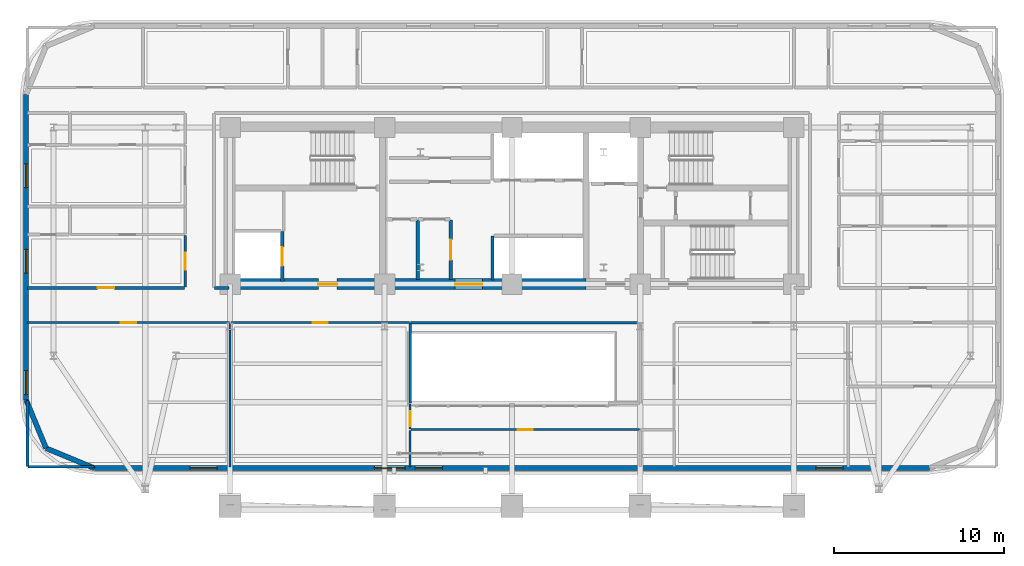
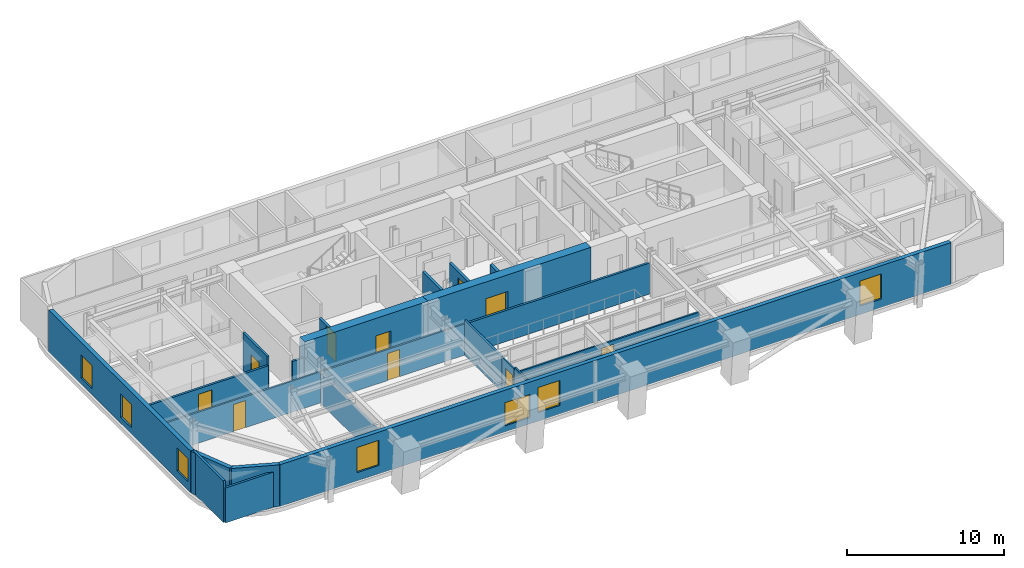
# One storey, part 8 of 15: 23 walls, 10 doors, 7 windows, 17 openings.
"""IFC4 building model written with IfcOpenShell, lengths in metres."""

from ifc_helpers import new_model, si_unit, direction, frame, frame_2d, origin, place, context, subcontext, project, spatial, rectangle, extrude, material, layer, layer_set, type_object, element, fill, save


model = new_model("IFC4")

# Units and contexts
model_context = context("Model", 3, precision=1e-05, world=origin(), true_north=direction((0.0, 1.0)))
body_context = subcontext(model_context, "Body", "Model", "MODEL_VIEW")
ifc_project = project(units=[si_unit("LENGTHUNIT", "METRE"), si_unit("AREAUNIT", "SQUARE_METRE"), si_unit("VOLUMEUNIT", "CUBIC_METRE"), si_unit("PLANEANGLEUNIT", "RADIAN"), si_unit("MASSUNIT", "GRAM", prefix="KILO")], contexts=[model_context])

# Site, building, storey
site_placement = place(None, origin())
site = spatial("IfcSite", under=ifc_project, at=site_placement, CompositionType="ELEMENT")
building_placement = place(site_placement, origin())
building = spatial("IfcBuilding", under=site, at=building_placement, Name="Zarnavel Station Tower", CompositionType="ELEMENT")
storey_placement = place(building_placement, frame((0.0, 0.0, 125.800048828125)))
storey = spatial("IfcBuildingStorey", under=building, at=storey_placement, Name="L34", CompositionType="ELEMENT", Elevation=125.800048828125)

# Wall, opening, door
ifc_material_1 = material(Name="Concrete C60/75", Category="concrete")
ifc_layer_1 = layer(ifc_material_1, 0.64990234375)
ifc_layer_set_1 = layer_set([ifc_layer_1], Name="CW_650")
wall_type_1 = type_object("IfcWallType", Name="CW_650", PredefinedType="SHEAR", material=ifc_layer_set_1)
wall_1_placement = place(storey_placement, frame((21.179931640625, 27.820068359375, 0.0), z_axis=(0.0, 0.0, 1.0), x_axis=(-1.0, 0.0, 0.0)))
wall_1 = element("IfcWall", 1, at=wall_1_placement, inside=storey, type_object=wall_type_1, Name="L34 Rear Core Shear Wall S-W", PredefinedType="SHEAR", context=body_context, shape_type="SweptSolid", body=[
    extrude(rectangle(XDim=9.030029296875, YDim=0.64990234375, at=frame_2d((4.51513671875, 0.0))), origin(), (0.0, 0.0, 1.0), 3.5),
])
opening_1_placement = place(wall_1_placement, frame((2.679931640625, 0.0, 0.0)))
opening_1 = element("IfcOpeningElement", 2, at=opening_1_placement, cuts=wall_1, Name="Opening FD01", PredefinedType="OPENING", context=body_context, shape_type="SweptSolid", body=[
    extrude(rectangle(XDim=1.10009765625, YDim=2.14990234375, at=frame_2d((0.550048828125, 1.074951171875))), frame((0.0, 0.3349609375, 0.0), z_axis=(0.0, -1.0, 0.0), x_axis=(1.0, 0.0, 0.0)), (0.0, 0.0, 1.0), 0.669921875),
])
ifc_material_2 = material(Name="Painted Galvanised Steel and Hardwood Leaf", Category="steel")
door_type_1 = type_object("IfcDoorType", Name="ID_STAIR_1100", OperationType="NOTDEFINED", PredefinedType="DOOR", material=ifc_material_2)
door_1_placement = place(opening_1_placement, origin())
door_1 = element("IfcDoor", 3, at=door_1_placement, inside=storey, type_object=door_type_1, Name="L34 West Firefighting Lobby Door", OperationType="SINGLE_SWING_RIGHT", OverallHeight=2.14990234375, OverallWidth=1.10009765625, PredefinedType="DOOR", context=body_context, shape_type="SweptSolid", body=[
    extrude(rectangle(XDim=1.10009765625, YDim=2.14990234375, at=frame_2d((0.550048828125, 1.074951171875))), frame((0.0, 0.02490234375, 0.0), z_axis=(0.0, -1.0, 0.0), x_axis=(1.0, 0.0, 0.0)), (0.0, 0.0, 1.0), 0.050048828125),
])
fill(opening_1, door_1)

wall_2_placement = place(storey_placement, frame((33.14990234375, 27.820068359375, 0.0), z_axis=(0.0, 0.0, 1.0), x_axis=(-1.0, 0.0, 0.0)))
wall_2 = element("IfcWall", 4, at=wall_2_placement, inside=storey, type_object=wall_type_1, Name="L34 Rear Core Shear Wall S-M", PredefinedType="SHEAR", context=body_context, shape_type="SweptSolid", body=[
    extrude(rectangle(XDim=11.969970703125, YDim=0.64990234375, at=frame_2d((5.98486328125, 0.0))), origin(), (0.0, 0.0, 1.0), 3.5),
])
opening_2_placement = place(wall_2_placement, frame((6.10009765625, 0.0, 0.0)))
opening_2 = element("IfcOpeningElement", 5, at=opening_2_placement, cuts=wall_2, Name="Opening ID03", PredefinedType="OPENING", context=body_context, shape_type="SweptSolid", body=[
    extrude(rectangle(XDim=1.60009765625, YDim=2.199951171875, at=frame_2d((0.800048828125, 1.10009765625))), frame((0.0, 0.3349609375, 0.0), z_axis=(0.0, -1.0, 0.0), x_axis=(1.0, 0.0, 0.0)), (0.0, 0.0, 1.0), 0.669921875),
])
ifc_material_3 = material(Name="Painted Galvanised Steel and Hardwood Leaf", Category="steel")
door_type_2 = type_object("IfcDoorType", Name="ID_PUBLIC_1600", OperationType="DOUBLE_DOOR_SINGLE_SWING", PredefinedType="DOOR", material=ifc_material_3)
door_2_placement = place(opening_2_placement, origin())
door_2 = element("IfcDoor", 6, at=door_2_placement, inside=storey, type_object=door_type_2, Name="L34 Passenger Lift Lobby Double Door", OperationType="SINGLE_SWING_LEFT", OverallHeight=2.199951171875, OverallWidth=1.60009765625, PredefinedType="DOOR", context=body_context, shape_type="SweptSolid", body=[
    extrude(rectangle(XDim=1.60009765625, YDim=2.199951171875, at=frame_2d((0.800048828125, 1.10009765625))), frame((0.0, 0.02490234375, 0.0), z_axis=(0.0, -1.0, 0.0), x_axis=(1.0, 0.0, 0.0)), (0.0, 0.0, 1.0), 0.050048828125),
])
fill(opening_2, door_2)

# Wall, openings, windows
ifc_material_4 = material(Name="Precast concrete C45/55 (Dark Basalt Finish)", Category="masonry")
ifc_layer_2 = layer(ifc_material_4, 0.300048828125)
ifc_layer_set_2 = layer_set([ifc_layer_2], Name="EW_BASALT_300")
wall_type_2 = type_object("IfcWallType", Name="EW_BASALT_300", PredefinedType="SOLIDWALL", material=ifc_layer_set_2)
wall_3_placement = place(storey_placement, frame((0.179931640625, 21.0, 0.0), z_axis=(0.0, 0.0, 1.0), x_axis=(0.0, 1.0, 0.0)))
wall_3 = element("IfcWall", 7, at=wall_3_placement, inside=storey, type_object=wall_type_2, Name="L34 Exterior Basalt Masonry Frame Wall 09", PredefinedType="SOLIDWALL", context=body_context, shape_type="SweptSolid", body=[
    extrude(rectangle(XDim=18.0, YDim=0.300048828125, at=frame_2d((9.0, 0.0))), origin(), (0.0, 0.0, 1.0), 3.239990234375),
])
opening_3_placement = place(wall_3_placement, frame((7.470458984375, 0.0, 0.47998046875)))
opening_3 = element("IfcOpeningElement", 8, at=opening_3_placement, cuts=wall_3, Name="Opening WN01", PredefinedType="OPENING", context=body_context, shape_type="SweptSolid", body=[
    extrude(rectangle(XDim=1.39990234375, YDim=1.800048828125, at=frame_2d((0.699951171875, 0.89990234375))), frame((0.0, 0.159912109375, 0.0), z_axis=(0.0, -1.0, 0.0), x_axis=(1.0, 0.0, 0.0)), (0.0, 0.0, 1.0), 0.320068359375),
])
opening_4_placement = place(wall_3_placement, frame((12.509033203125, 0.0, 0.47998046875)))
opening_4 = element("IfcOpeningElement", 9, at=opening_4_placement, cuts=wall_3, Name="Opening WN01", PredefinedType="OPENING", context=body_context, shape_type="SweptSolid", body=[
    extrude(rectangle(XDim=1.39990234375, YDim=1.800048828125, at=frame_2d((0.699951171875, 0.89990234375))), frame((0.0, 0.159912109375, 0.0), z_axis=(0.0, -1.0, 0.0), x_axis=(1.0, 0.0, 0.0)), (0.0, 0.0, 1.0), 0.320068359375),
])
opening_5_placement = place(wall_3_placement, frame((0.320068359375, 0.0, 0.64990234375)))
opening_5 = element("IfcOpeningElement", 10, at=opening_5_placement, cuts=wall_3, Name="Opening WN01", PredefinedType="OPENING", context=body_context, shape_type="SweptSolid", body=[
    extrude(rectangle(XDim=1.39990234375, YDim=1.800048828125, at=frame_2d((0.699951171875, 0.89990234375))), frame((0.0, 0.159912109375, 0.0), z_axis=(0.0, -1.0, 0.0), x_axis=(1.0, 0.0, 0.0)), (0.0, 0.0, 1.0), 0.320068359375),
])
ifc_material_5 = material(Name="Thermally Broken Black Aluminium and Low-E Dark Glass", Category="aluminium")
window_type_1 = type_object("IfcWindowType", Name="WN_1400x1800", PartitioningType="DOUBLE_PANEL_VERTICAL", PredefinedType="WINDOW", material=ifc_material_5)
window_1_placement = place(opening_3_placement, origin())
window_1 = element("IfcWindow", 11, at=window_1_placement, inside=storey, type_object=window_type_1, Name="L34 Recessed Facade Window 01", OverallHeight=1.800048828125, OverallWidth=1.39990234375, PartitioningType="SINGLE_PANEL", PredefinedType="WINDOW", context=body_context, shape_type="SweptSolid", body=[
    extrude(rectangle(XDim=1.39990234375, YDim=1.800048828125, at=frame_2d((0.699951171875, 0.89990234375))), frame((0.0, 0.030029296875, 0.0), z_axis=(0.0, -1.0, 0.0), x_axis=(1.0, 0.0, 0.0)), (0.0, 0.0, 1.0), 0.06005859375),
])
fill(opening_3, window_1)
window_2_placement = place(opening_4_placement, origin())
window_2 = element("IfcWindow", 12, at=window_2_placement, inside=storey, type_object=window_type_1, Name="L34 Recessed Facade Window 02", OverallHeight=1.800048828125, OverallWidth=1.39990234375, PartitioningType="SINGLE_PANEL", PredefinedType="WINDOW", context=body_context, shape_type="SweptSolid", body=[
    extrude(rectangle(XDim=1.39990234375, YDim=1.800048828125, at=frame_2d((0.699951171875, 0.89990234375))), frame((0.0, 0.030029296875, 0.0), z_axis=(0.0, -1.0, 0.0), x_axis=(1.0, 0.0, 0.0)), (0.0, 0.0, 1.0), 0.06005859375),
])
fill(opening_4, window_2)
window_3_placement = place(opening_5_placement, origin())
window_3 = element("IfcWindow", 13, at=window_3_placement, inside=storey, type_object=window_type_1, Name="L34 Recessed Facade Window 03", OverallHeight=1.800048828125, OverallWidth=1.39990234375, PartitioningType="SINGLE_PANEL", PredefinedType="WINDOW", context=body_context, shape_type="SweptSolid", body=[
    extrude(rectangle(XDim=1.39990234375, YDim=1.800048828125, at=frame_2d((0.699951171875, 0.89990234375))), frame((0.0, 0.030029296875, 0.0), z_axis=(0.0, -1.0, 0.0), x_axis=(1.0, 0.0, 0.0)), (0.0, 0.0, 1.0), 0.06005859375),
])
fill(opening_5, window_3)

# Walls
for number, where, z_axis, x_axis, name in (
    (14, (1.357421875, 18.157470703125, 0.0), (0.0, 0.0, 1.0), (-0.382704529509, 0.923870793506, 0.0), "L34 Exterior Basalt Masonry Frame Wall 10"),
    (15, (4.199951171875, 16.97998046875, 0.0), (0.0, 0.0, 1.0), (-0.923870793506, 0.382704529509, 0.0), "L34 Exterior Basalt Masonry Frame Wall 11"),
):
    element("IfcWall", number, at=place(storey_placement, frame(where, z_axis=z_axis, x_axis=x_axis)), inside=storey, type_object=wall_type_2, Name=name, PredefinedType="SOLIDWALL", context=body_context, shape_type="SweptSolid", body=[
        extrude(rectangle(XDim=3.07666015625, YDim=0.300048828125, at=frame_2d((1.538330078125, 0.0))), origin(), (0.0, 0.0, 1.0), 3.239990234375),
    ])

# Wall, openings, windows
wall_4_placement = place(storey_placement, frame((53.39990234375, 16.97998046875, 0.0), z_axis=(0.0, 0.0, 1.0), x_axis=(-1.0, 0.0, 0.0)))
wall_4 = element("IfcWall", 16, at=wall_4_placement, inside=storey, type_object=wall_type_2, Name="L34 Exterior Basalt Masonry Frame Wall 12", PredefinedType="SOLIDWALL", context=body_context, shape_type="SweptSolid", body=[
    extrude(rectangle(XDim=49.199951171875, YDim=0.300048828125, at=frame_2d((24.60009765625, 0.0))), origin(), (0.0, 0.0, 1.0), 3.239990234375),
])
opening_6_placement = place(wall_4_placement, frame((41.96240234375, 0.0, 0.64990234375)))
opening_6 = element("IfcOpeningElement", 17, at=opening_6_placement, cuts=wall_4, Name="Opening WN06", PredefinedType="OPENING", context=body_context, shape_type="SweptSolid", body=[
    extrude(rectangle(XDim=1.60009765625, YDim=1.949951171875, at=frame_2d((0.800048828125, 0.97509765625))), frame((0.0, 0.159912109375, 0.0), z_axis=(0.0, -1.0, 0.0), x_axis=(1.0, 0.0, 0.0)), (0.0, 0.0, 1.0), 0.320068359375),
])
opening_7_placement = place(wall_4_placement, frame((30.89990234375, 0.0, 0.47998046875)))
opening_7 = element("IfcOpeningElement", 18, at=opening_7_placement, cuts=wall_4, Name="Opening WN02", PredefinedType="OPENING", context=body_context, shape_type="SweptSolid", body=[
    extrude(rectangle(XDim=1.800048828125, YDim=1.800048828125, at=frame_2d((0.89990234375, 0.89990234375))), frame((0.0, 0.159912109375, 0.0), z_axis=(0.0, -1.0, 0.0), x_axis=(1.0, 0.0, 0.0)), (0.0, 0.0, 1.0), 0.320068359375),
])
opening_8_placement = place(wall_4_placement, frame((28.699951171875, 0.0, 0.64990234375)))
opening_8 = element("IfcOpeningElement", 19, at=opening_8_placement, cuts=wall_4, Name="Opening WN06", PredefinedType="OPENING", context=body_context, shape_type="SweptSolid", body=[
    extrude(rectangle(XDim=1.60009765625, YDim=1.949951171875, at=frame_2d((0.800048828125, 0.97509765625))), frame((0.0, 0.159912109375, 0.0), z_axis=(0.0, -1.0, 0.0), x_axis=(1.0, 0.0, 0.0)), (0.0, 0.0, 1.0), 0.320068359375),
])
opening_9_placement = place(wall_4_placement, frame((5.10009765625, 0.0, 0.64990234375)))
opening_9 = element("IfcOpeningElement", 20, at=opening_9_placement, cuts=wall_4, Name="Opening WN06", PredefinedType="OPENING", context=body_context, shape_type="SweptSolid", body=[
    extrude(rectangle(XDim=1.60009765625, YDim=1.949951171875, at=frame_2d((0.800048828125, 0.97509765625))), frame((0.0, 0.159912109375, 0.0), z_axis=(0.0, -1.0, 0.0), x_axis=(1.0, 0.0, 0.0)), (0.0, 0.0, 1.0), 0.320068359375),
])
ifc_material_6 = material(Name="Thermally Broken Black Aluminium and Low-E Dark Glass", Category="aluminium")
window_type_2 = type_object("IfcWindowType", Name="WN_1600x1950", PartitioningType="DOUBLE_PANEL_VERTICAL", PredefinedType="WINDOW", material=ifc_material_6)
window_4_placement = place(opening_6_placement, origin())
window_4 = element("IfcWindow", 21, at=window_4_placement, inside=storey, type_object=window_type_2, Name="L34 Recessed Facade Window 01", OverallHeight=1.949951171875, OverallWidth=1.60009765625, PartitioningType="SINGLE_PANEL", PredefinedType="WINDOW", context=body_context, shape_type="SweptSolid", body=[
    extrude(rectangle(XDim=1.60009765625, YDim=1.949951171875, at=frame_2d((0.800048828125, 0.97509765625))), frame((0.0, 0.030029296875, 0.0), z_axis=(0.0, -1.0, 0.0), x_axis=(1.0, 0.0, 0.0)), (0.0, 0.0, 1.0), 0.06005859375),
])
fill(opening_6, window_4)
window_5_placement = place(opening_8_placement, origin())
window_5 = element("IfcWindow", 22, at=window_5_placement, inside=storey, type_object=window_type_2, Name="L34 Recessed Facade Window 03", OverallHeight=1.949951171875, OverallWidth=1.60009765625, PartitioningType="SINGLE_PANEL", PredefinedType="WINDOW", context=body_context, shape_type="SweptSolid", body=[
    extrude(rectangle(XDim=1.60009765625, YDim=1.949951171875, at=frame_2d((0.800048828125, 0.97509765625))), frame((0.0, 0.030029296875, 0.0), z_axis=(0.0, -1.0, 0.0), x_axis=(1.0, 0.0, 0.0)), (0.0, 0.0, 1.0), 0.06005859375),
])
fill(opening_8, window_5)
window_6_placement = place(opening_9_placement, origin())
window_6 = element("IfcWindow", 23, at=window_6_placement, inside=storey, type_object=window_type_2, Name="L34 Recessed Facade Window 04", OverallHeight=1.949951171875, OverallWidth=1.60009765625, PartitioningType="SINGLE_PANEL", PredefinedType="WINDOW", context=body_context, shape_type="SweptSolid", body=[
    extrude(rectangle(XDim=1.60009765625, YDim=1.949951171875, at=frame_2d((0.800048828125, 0.97509765625))), frame((0.0, 0.030029296875, 0.0), z_axis=(0.0, -1.0, 0.0), x_axis=(1.0, 0.0, 0.0)), (0.0, 0.0, 1.0), 0.06005859375),
])
fill(opening_9, window_6)
ifc_material_7 = material(Name="Thermally Broken Black Aluminium and Low-E Dark Glass", Category="aluminium")
window_type_3 = type_object("IfcWindowType", Name="WN_1800x1800", PartitioningType="DOUBLE_PANEL_VERTICAL", PredefinedType="WINDOW", material=ifc_material_7)
window_7_placement = place(opening_7_placement, origin())
window_7 = element("IfcWindow", 24, at=window_7_placement, inside=storey, type_object=window_type_3, Name="L34 Recessed Facade Window 02", OverallHeight=1.800048828125, OverallWidth=1.800048828125, PartitioningType="SINGLE_PANEL", PredefinedType="WINDOW", context=body_context, shape_type="SweptSolid", body=[
    extrude(rectangle(XDim=1.800048828125, YDim=1.800048828125, at=frame_2d((0.89990234375, 0.89990234375))), frame((0.0, 0.030029296875, 0.0), z_axis=(0.0, -1.0, 0.0), x_axis=(1.0, 0.0, 0.0)), (0.0, 0.0, 1.0), 0.06005859375),
])
fill(opening_7, window_7)

# Wall, opening, door
ifc_material_8 = material(Name="Gypsum Twin-Stud Acoustic Fire Partition", Category="concrete")
ifc_layer_3 = layer(ifc_material_8, 0.159912109375)
ifc_layer_set_3 = layer_set([ifc_layer_3], Name="PT_DEMISE_160")
wall_type_3 = type_object("IfcWallType", Name="PT_DEMISE_160", PredefinedType="PARTITIONING", material=ifc_layer_set_3)
wall_5_placement = place(storey_placement, frame((0.260009765625, 27.60009765625, 0.0), z_axis=(0.0, 0.0, 1.0), x_axis=(1.0, 0.0, 0.0)))
wall_5 = element("IfcWall", 25, at=wall_5_placement, inside=storey, type_object=wall_type_3, Name="L34 Partition COR-S-FNW1R", PredefinedType="PARTITIONING", context=body_context, shape_type="SweptSolid", body=[
    extrude(rectangle(XDim=9.25, YDim=0.159912109375, at=frame_2d((4.625, 0.0))), origin(), (0.0, 0.0, 1.0), 2.570068359375),
])
opening_10_placement = place(wall_5_placement, frame((4.125, 0.0, 0.0)))
opening_10 = element("IfcOpeningElement", 26, at=opening_10_placement, cuts=wall_5, Name="Opening FD02", PredefinedType="OPENING", context=body_context, shape_type="SweptSolid", body=[
    extrude(rectangle(XDim=1.0, YDim=2.14990234375, at=frame_2d((0.5, 1.074951171875))), frame((0.0, 0.08984375, 0.0), z_axis=(0.0, -1.0, 0.0), x_axis=(1.0, 0.0, 0.0)), (0.0, 0.0, 1.0), 0.179931640625),
])
ifc_material_9 = material(Name="Painted Galvanised Steel and Hardwood Leaf", Category="steel")
door_type_3 = type_object("IfcDoorType", Name="ID_ENTRY_1000", OperationType="NOTDEFINED", PredefinedType="DOOR", material=ifc_material_9)
door_3_placement = place(opening_10_placement, origin())
door_3 = element("IfcDoor", 27, at=door_3_placement, inside=storey, type_object=door_type_3, Name="L34 Door COR-S-FNW1R", OperationType="SINGLE_SWING_RIGHT", OverallHeight=2.14990234375, OverallWidth=1.0, PredefinedType="DOOR", context=body_context, shape_type="SweptSolid", body=[
    extrude(rectangle(XDim=1.0, YDim=2.14990234375, at=frame_2d((0.5, 1.074951171875))), frame((0.0, 0.02490234375, 0.0), z_axis=(0.0, -1.0, 0.0), x_axis=(1.0, 0.0, 0.0)), (0.0, 0.0, 1.0), 0.050048828125),
])
fill(opening_10, door_3)

wall_6_placement = place(storey_placement, frame((9.550048828125, 27.639892578125, 0.0), z_axis=(0.0, 0.0, 1.0), x_axis=(0.0, 1.0, 0.0)))
wall_6 = element("IfcWall", 28, at=wall_6_placement, inside=storey, type_object=wall_type_3, Name="L34 Partition COR-W-FNW1R", PredefinedType="PARTITIONING", context=body_context, shape_type="SweptSolid", body=[
    extrude(rectangle(XDim=3.06103515625, YDim=0.159912109375, at=frame_2d((1.530517578125, 0.0))), origin(), (0.0, 0.0, 1.0), 3.239990234375),
])
opening_11_placement = place(wall_6_placement, frame((1.030517578125, 0.0, 0.0)))
opening_11 = element("IfcOpeningElement", 29, at=opening_11_placement, cuts=wall_6, Name="Opening FD02", PredefinedType="OPENING", context=body_context, shape_type="SweptSolid", body=[
    extrude(rectangle(XDim=1.0, YDim=2.14990234375, at=frame_2d((0.5, 1.074951171875))), frame((0.0, 0.08984375, 0.0), z_axis=(0.0, -1.0, 0.0), x_axis=(1.0, 0.0, 0.0)), (0.0, 0.0, 1.0), 0.179931640625),
])
door_4_placement = place(opening_11_placement, origin())
door_4 = element("IfcDoor", 30, at=door_4_placement, inside=storey, type_object=door_type_3, Name="L34 Door COR-W-FNW1R", OperationType="SINGLE_SWING_RIGHT", OverallHeight=2.14990234375, OverallWidth=1.0, PredefinedType="DOOR", context=body_context, shape_type="SweptSolid", body=[
    extrude(rectangle(XDim=1.0, YDim=2.14990234375, at=frame_2d((0.5, 1.074951171875))), frame((0.0, 0.02490234375, 0.0), z_axis=(0.0, -1.0, 0.0), x_axis=(1.0, 0.0, 0.0)), (0.0, 0.0, 1.0), 0.050048828125),
])
fill(opening_11, door_4)

# Walls
wall_7_placement = place(storey_placement, frame((22.830078125, 25.550048828125, 0.0), z_axis=(0.0, 0.0, 1.0), x_axis=(1.0, 0.0, 0.0)))
element("IfcWall", 31, at=wall_7_placement, inside=storey, type_object=wall_type_3, Name="L34 Enclosure Wall COR-S", PredefinedType="PARTITIONING", context=body_context, shape_type="SweptSolid", body=[
    extrude(rectangle(XDim=13.489990234375, YDim=0.159912109375, at=frame_2d((6.7451171875, 0.0))), origin(), (0.0, 0.0, 1.0), 2.406005859375),
])
wall_8_placement = place(storey_placement, frame((11.280029296875, 27.60009765625, 0.0), z_axis=(0.0, 0.0, 1.0), x_axis=(1.0, 0.0, 0.0)))
element("IfcWall", 32, at=wall_8_placement, inside=storey, type_object=wall_type_3, Name="L34 Enclosure Wall COR-S", PredefinedType="PARTITIONING", context=body_context, shape_type="SweptSolid", body=[
    extrude(rectangle(XDim=0.840087890625, YDim=0.159912109375, at=frame_2d((0.419921875, 0.0))), origin(), (0.0, 0.0, 1.0), 2.280029296875),
])
wall_9_placement = place(storey_placement, frame((0.2900390625, 17.06005859375, 0.0), z_axis=(0.0, 0.0, 1.0), x_axis=(1.0, 0.0, 0.0)))
element("IfcWall", 33, at=wall_9_placement, inside=storey, type_object=wall_type_3, Name="L34 Enclosure Wall L33SPA", PredefinedType="PARTITIONING", context=body_context, shape_type="SweptSolid", body=[
    extrude(rectangle(XDim=3.8798828125, YDim=0.159912109375, at=frame_2d((1.93994140625, 0.0))), origin(), (0.0, 0.0, 1.0), 2.719970703125),
])
wall_10_placement = place(storey_placement, frame((0.260009765625, 17.090087890625, 0.0), z_axis=(0.0, 0.0, 1.0), x_axis=(0.0, 1.0, 0.0)))
element("IfcWall", 34, at=wall_10_placement, inside=storey, type_object=wall_type_3, Name="L34 Enclosure Wall L33SPA", PredefinedType="PARTITIONING", context=body_context, shape_type="SweptSolid", body=[
    extrude(rectangle(XDim=3.8798828125, YDim=0.159912109375, at=frame_2d((1.93994140625, 0.0))), origin(), (0.0, 0.0, 1.0), 3.239990234375),
])
wall_11_placement = place(storey_placement, frame((22.800048828125, 20.830078125, 0.0), z_axis=(0.0, 0.0, 1.0), x_axis=(0.0, 1.0, 0.0)))
element("IfcWall", 35, at=wall_11_placement, inside=storey, type_object=wall_type_3, Name="L34 Enclosure Wall L33TRM", PredefinedType="PARTITIONING", context=body_context, shape_type="SweptSolid", body=[
    extrude(rectangle(XDim=4.68994140625, YDim=0.159912109375, at=frame_2d((2.344970703125, 0.0))), origin(), (0.0, 0.0, 1.0), 2.679931640625),
])

# Wall, opening, door
ifc_material_10 = material(Name="Gypsum Metal-Stud Interior Partition", Category="concrete")
ifc_layer_4 = layer(ifc_material_10, 0.1201171875)
ifc_layer_set_4 = layer_set([ifc_layer_4], Name="PT_ROOM_120")
wall_type_4 = type_object("IfcWallType", Name="PT_ROOM_120", PredefinedType="PARTITIONING", material=ifc_layer_set_4)
wall_12_placement = place(storey_placement, frame((0.260009765625, 25.550048828125, 0.0), z_axis=(0.0, 0.0, 1.0), x_axis=(1.0, 0.0, 0.0)))
wall_12 = element("IfcWall", 36, at=wall_12_placement, inside=storey, type_object=wall_type_4, Name="L34 Partition COR-S-L33SPA", PredefinedType="PARTITIONING", context=body_context, shape_type="SweptSolid", body=[
    extrude(rectangle(XDim=11.89990234375, YDim=0.1201171875, at=frame_2d((5.949951171875, 0.0))), origin(), (0.0, 0.0, 1.0), 2.406005859375),
])
opening_12_placement = place(wall_12_placement, frame((5.5, 0.0, 0.0)))
opening_12 = element("IfcOpeningElement", 37, at=opening_12_placement, cuts=wall_12, Name="Opening ID01", PredefinedType="OPENING", context=body_context, shape_type="SweptSolid", body=[
    extrude(rectangle(XDim=0.89990234375, YDim=2.10009765625, at=frame_2d((0.449951171875, 1.050048828125))), frame((0.0, 0.070068359375, 0.0), z_axis=(0.0, -1.0, 0.0), x_axis=(1.0, 0.0, 0.0)), (0.0, 0.0, 1.0), 0.14013671875),
])
ifc_material_11 = material(Name="Painted Galvanised Steel and Hardwood Leaf", Category="steel")
door_type_4 = type_object("IfcDoorType", Name="ID_ROOM_900", OperationType="NOTDEFINED", PredefinedType="DOOR", material=ifc_material_11)
door_5_placement = place(opening_12_placement, origin())
door_5 = element("IfcDoor", 38, at=door_5_placement, inside=storey, type_object=door_type_4, Name="L34 Door COR-S-L33SPA", OperationType="SINGLE_SWING_RIGHT", OverallHeight=2.10009765625, OverallWidth=0.89990234375, PredefinedType="DOOR", context=body_context, shape_type="SweptSolid", body=[
    extrude(rectangle(XDim=0.89990234375, YDim=2.10009765625, at=frame_2d((0.449951171875, 1.050048828125))), frame((0.0, 0.02490234375, 0.0), z_axis=(0.0, -1.0, 0.0), x_axis=(1.0, 0.0, 0.0)), (0.0, 0.0, 1.0), 0.050048828125),
])
fill(opening_12, door_5)

wall_13_placement = place(storey_placement, frame((12.239990234375, 25.550048828125, 0.0), z_axis=(0.0, 0.0, 1.0), x_axis=(1.0, 0.0, 0.0)))
wall_13 = element("IfcWall", 39, at=wall_13_placement, inside=storey, type_object=wall_type_4, Name="L34 Partition COR-S-L33TRM", PredefinedType="PARTITIONING", context=body_context, shape_type="SweptSolid", body=[
    extrude(rectangle(XDim=10.52001953125, YDim=0.1201171875, at=frame_2d((5.260009765625, 0.0))), origin(), (0.0, 0.0, 1.0), 2.406005859375),
])
opening_13_placement = place(wall_13_placement, frame((4.81005859375, 0.0, 0.0)))
opening_13 = element("IfcOpeningElement", 40, at=opening_13_placement, cuts=wall_13, Name="Opening ID01", PredefinedType="OPENING", context=body_context, shape_type="SweptSolid", body=[
    extrude(rectangle(XDim=0.89990234375, YDim=2.10009765625, at=frame_2d((0.449951171875, 1.050048828125))), frame((0.0, 0.070068359375, 0.0), z_axis=(0.0, -1.0, 0.0), x_axis=(1.0, 0.0, 0.0)), (0.0, 0.0, 1.0), 0.14013671875),
])
door_6_placement = place(opening_13_placement, origin())
door_6 = element("IfcDoor", 41, at=door_6_placement, inside=storey, type_object=door_type_4, Name="L34 Door COR-S-L33TRM", OperationType="SINGLE_SWING_LEFT", OverallHeight=2.10009765625, OverallWidth=0.89990234375, PredefinedType="DOOR", context=body_context, shape_type="SweptSolid", body=[
    extrude(rectangle(XDim=0.89990234375, YDim=2.10009765625, at=frame_2d((0.449951171875, 1.050048828125))), frame((0.0, 0.02490234375, 0.0), z_axis=(0.0, -1.0, 0.0), x_axis=(1.0, 0.0, 0.0)), (0.0, 0.0, 1.0), 0.050048828125),
])
fill(opening_13, door_6)

wall_14_placement = place(storey_placement, frame((22.800048828125, 19.2900390625, 0.0), z_axis=(0.0, 0.0, 1.0), x_axis=(0.0, 1.0, 0.0)))
wall_14 = element("IfcWall", 42, at=wall_14_placement, inside=storey, type_object=wall_type_4, Name="L34 Partition COR-AS-L33TRM", PredefinedType="PARTITIONING", context=body_context, shape_type="SweptSolid", body=[
    extrude(rectangle(XDim=1.469970703125, YDim=0.1201171875, at=frame_2d((0.73486328125, 0.0))), origin(), (0.0, 0.0, 1.0), 2.679931640625),
])
opening_14_placement = place(wall_14_placement, frame((0.152099609375, 0.0, 0.0)))
opening_14 = element("IfcOpeningElement", 43, at=opening_14_placement, cuts=wall_14, Name="Opening ID01", PredefinedType="OPENING", context=body_context, shape_type="SweptSolid", body=[
    extrude(rectangle(XDim=0.89990234375, YDim=2.10009765625, at=frame_2d((0.449951171875, 1.050048828125))), frame((0.0, 0.070068359375, 0.0), z_axis=(0.0, -1.0, 0.0), x_axis=(1.0, 0.0, 0.0)), (0.0, 0.0, 1.0), 0.14013671875),
])
door_7_placement = place(opening_14_placement, origin())
door_7 = element("IfcDoor", 44, at=door_7_placement, inside=storey, type_object=door_type_4, Name="L34 Door COR-AS-L33TRM", OperationType="SINGLE_SWING_RIGHT", OverallHeight=2.10009765625, OverallWidth=0.89990234375, PredefinedType="DOOR", context=body_context, shape_type="SweptSolid", body=[
    extrude(rectangle(XDim=0.89990234375, YDim=2.10009765625, at=frame_2d((0.449951171875, 1.050048828125))), frame((0.0, 0.02490234375, 0.0), z_axis=(0.0, -1.0, 0.0), x_axis=(1.0, 0.0, 0.0)), (0.0, 0.0, 1.0), 0.050048828125),
])
fill(opening_14, door_7)

wall_15_placement = place(storey_placement, frame((22.840087890625, 19.25, 0.0), z_axis=(0.0, 0.0, 1.0), x_axis=(1.0, 0.0, 0.0)))
wall_15 = element("IfcWall", 45, at=wall_15_placement, inside=storey, type_object=wall_type_4, Name="L34 Partition COR-AS-L33TEA", PredefinedType="PARTITIONING", context=body_context, shape_type="SweptSolid", body=[
    extrude(rectangle(XDim=13.469970703125, YDim=0.1201171875, at=frame_2d((6.73486328125, 0.0))), origin(), (0.0, 0.0, 1.0), 2.406005859375),
])
opening_15_placement = place(wall_15_placement, frame((6.284912109375, 0.0, 0.0)))
opening_15 = element("IfcOpeningElement", 46, at=opening_15_placement, cuts=wall_15, Name="Opening ID01", PredefinedType="OPENING", context=body_context, shape_type="SweptSolid", body=[
    extrude(rectangle(XDim=0.89990234375, YDim=2.10009765625, at=frame_2d((0.449951171875, 1.050048828125))), frame((0.0, 0.070068359375, 0.0), z_axis=(0.0, -1.0, 0.0), x_axis=(1.0, 0.0, 0.0)), (0.0, 0.0, 1.0), 0.14013671875),
])
door_8_placement = place(opening_15_placement, origin())
door_8 = element("IfcDoor", 47, at=door_8_placement, inside=storey, type_object=door_type_4, Name="L34 Door COR-AS-L33TEA", OperationType="SINGLE_SWING_LEFT", OverallHeight=2.10009765625, OverallWidth=0.89990234375, PredefinedType="DOOR", context=body_context, shape_type="SweptSolid", body=[
    extrude(rectangle(XDim=0.89990234375, YDim=2.10009765625, at=frame_2d((0.449951171875, 1.050048828125))), frame((0.0, 0.02490234375, 0.0), z_axis=(0.0, -1.0, 0.0), x_axis=(1.0, 0.0, 0.0)), (0.0, 0.0, 1.0), 0.050048828125),
])
fill(opening_15, door_8)

# Walls
wall_16_placement = place(storey_placement, frame((12.199951171875, 17.06005859375, 0.0), z_axis=(0.0, 0.0, 1.0), x_axis=(0.0, 1.0, 0.0)))
element("IfcWall", 48, at=wall_16_placement, inside=storey, type_object=wall_type_4, Name="L34 Partition L33SPA-L33TRM", PredefinedType="PARTITIONING", context=body_context, shape_type="SweptSolid", body=[
    extrude(rectangle(XDim=8.449951171875, YDim=0.1201171875, at=frame_2d((4.22509765625, 0.0))), origin(), (0.0, 0.0, 1.0), 2.406005859375),
])
wall_17_placement = place(storey_placement, frame((22.800048828125, 17.06005859375, 0.0), z_axis=(0.0, 0.0, 1.0), x_axis=(0.0, 1.0, 0.0)))
element("IfcWall", 49, at=wall_17_placement, inside=storey, type_object=wall_type_4, Name="L34 Partition L33TRM-L33TEA", PredefinedType="PARTITIONING", context=body_context, shape_type="SweptSolid", body=[
    extrude(rectangle(XDim=2.14990234375, YDim=0.1201171875, at=frame_2d((1.074951171875, 0.0))), origin(), (0.0, 0.0, 1.0), 2.85986328125),
])

# Wall, opening, door
ifc_material_12 = material(Name="Precast concrete C45/55 (Fire Shaft Blockwork)", Category="masonry")
ifc_layer_5 = layer(ifc_material_12, 0.199951171875)
ifc_layer_set_5 = layer_set([ifc_layer_5], Name="PT_SHAFT_200")
wall_type_5 = type_object("IfcWallType", Name="PT_SHAFT_200", PredefinedType="PARTITIONING", material=ifc_layer_set_5)
wall_18_placement = place(storey_placement, frame((15.27001953125, 27.969970703125, 0.0), z_axis=(0.0, 0.0, 1.0), x_axis=(0.0, 1.0, 0.0)))
wall_18 = element("IfcWall", 50, at=wall_18_placement, inside=storey, type_object=wall_type_5, Name="L34 Lift FFL-01 Shaft Front Wall", PredefinedType="PARTITIONING", context=body_context, shape_type="SweptSolid", body=[
    extrude(rectangle(XDim=2.9599609375, YDim=0.199951171875, at=frame_2d((1.47998046875, 0.0))), origin(), (0.0, 0.0, 1.0), 2.2119140625),
])
opening_16_placement = place(wall_18_placement, frame((0.929931640625, 0.0, 0.0)))
opening_16 = element("IfcOpeningElement", 51, at=opening_16_placement, cuts=wall_18, Name="Opening LD01", PredefinedType="OPENING", context=body_context, shape_type="SweptSolid", body=[
    extrude(rectangle(XDim=1.10009765625, YDim=2.14990234375, at=frame_2d((0.550048828125, 1.074951171875))), frame((0.0, 0.10986328125, 0.0), z_axis=(0.0, -1.0, 0.0), x_axis=(1.0, 0.0, 0.0)), (0.0, 0.0, 1.0), 0.219970703125),
])
ifc_material_13 = material(Name="Painted Galvanised Steel and Hardwood Leaf", Category="steel")
door_type_5 = type_object("IfcDoorType", Name="LD_FF_1100", OperationType="DOUBLE_DOOR_SLIDING", PredefinedType="DOOR", material=ifc_material_13)
door_9_placement = place(opening_16_placement, origin())
door_9 = element("IfcDoor", 52, at=door_9_placement, inside=storey, type_object=door_type_5, Name="L34 Lift FFL-01 Sliding Landing Door", OperationType="DOUBLE_DOOR_SLIDING", OverallHeight=2.14990234375, OverallWidth=1.10009765625, PredefinedType="DOOR", context=body_context, shape_type="SweptSolid", body=[
    extrude(rectangle(XDim=1.10009765625, YDim=2.14990234375, at=frame_2d((0.550048828125, 1.074951171875))), frame((0.0, 0.02490234375, 0.0), z_axis=(0.0, -1.0, 0.0), x_axis=(1.0, 0.0, 0.0)), (0.0, 0.0, 1.0), 0.050048828125),
])
fill(opening_16, door_9)

# Wall
wall_19_placement = place(storey_placement, frame((27.64990234375, 28.070068359375, 0.0), z_axis=(0.0, 0.0, 1.0), x_axis=(0.0, 1.0, 0.0)))
element("IfcWall", 53, at=wall_19_placement, inside=storey, type_object=wall_type_5, Name="L34 High-Rise Lift Bank West Shaft Wall", PredefinedType="PARTITIONING", context=body_context, shape_type="SweptSolid", body=[
    extrude(rectangle(XDim=2.579833984375, YDim=0.199951171875, at=frame_2d((1.2900390625, 0.0))), origin(), (0.0, 0.0, 1.0), 2.2119140625),
])

# Wall, opening, door
wall_20_placement = place(storey_placement, frame((25.199951171875, 28.090087890625, 0.0), z_axis=(0.0, 0.0, 1.0), x_axis=(0.0, 1.0, 0.0)))
wall_20 = element("IfcWall", 54, at=wall_20_placement, inside=storey, type_object=wall_type_5, Name="L34 Partition LLOBS-CS2", PredefinedType="PARTITIONING", context=body_context, shape_type="SweptSolid", body=[
    extrude(rectangle(XDim=3.52001953125, YDim=0.199951171875, at=frame_2d((1.760009765625, 0.0))), origin(), (0.0, 0.0, 1.0), 2.619873046875),
])
opening_17_placement = place(wall_20_placement, frame((1.159912109375, 0.0, 0.0)))
opening_17 = element("IfcOpeningElement", 55, at=opening_17_placement, cuts=wall_20, Name="Opening FD03", PredefinedType="OPENING", context=body_context, shape_type="SweptSolid", body=[
    extrude(rectangle(XDim=1.199951171875, YDim=2.14990234375, at=frame_2d((0.60009765625, 1.074951171875))), frame((0.0, 0.10986328125, 0.0), z_axis=(0.0, -1.0, 0.0), x_axis=(1.0, 0.0, 0.0)), (0.0, 0.0, 1.0), 0.219970703125),
])
ifc_material_14 = material(Name="Painted Galvanised Steel and Hardwood Leaf", Category="steel")
door_type_6 = type_object("IfcDoorType", Name="ID_PLANT_1200", OperationType="NOTDEFINED", PredefinedType="DOOR", material=ifc_material_14)
door_10_placement = place(opening_17_placement, origin())
door_10 = element("IfcDoor", 56, at=door_10_placement, inside=storey, type_object=door_type_6, Name="L34 Door LLOBS-CS2", OperationType="SINGLE_SWING_RIGHT", OverallHeight=2.14990234375, OverallWidth=1.199951171875, PredefinedType="DOOR", context=body_context, shape_type="SweptSolid", body=[
    extrude(rectangle(XDim=1.199951171875, YDim=2.14990234375, at=frame_2d((0.60009765625, 1.074951171875))), frame((0.0, 0.02490234375, 0.0), z_axis=(0.0, -1.0, 0.0), x_axis=(1.0, 0.0, 0.0)), (0.0, 0.0, 1.0), 0.050048828125),
])
fill(opening_17, door_10)

# Wall
wall_21_placement = place(storey_placement, frame((23.25, 28.090087890625, 0.0), z_axis=(0.0, 0.0, 1.0), x_axis=(0.0, 1.0, 0.0)))
element("IfcWall", 57, at=wall_21_placement, inside=storey, type_object=wall_type_5, Name="L34 Partition CS1-CS2", PredefinedType="PARTITIONING", context=body_context, shape_type="SweptSolid", body=[
    extrude(rectangle(XDim=3.52001953125, YDim=0.199951171875, at=frame_2d((1.760009765625, 0.0))), origin(), (0.0, 0.0, 1.0), 2.619873046875),
])

save(model, "model.ifc")
